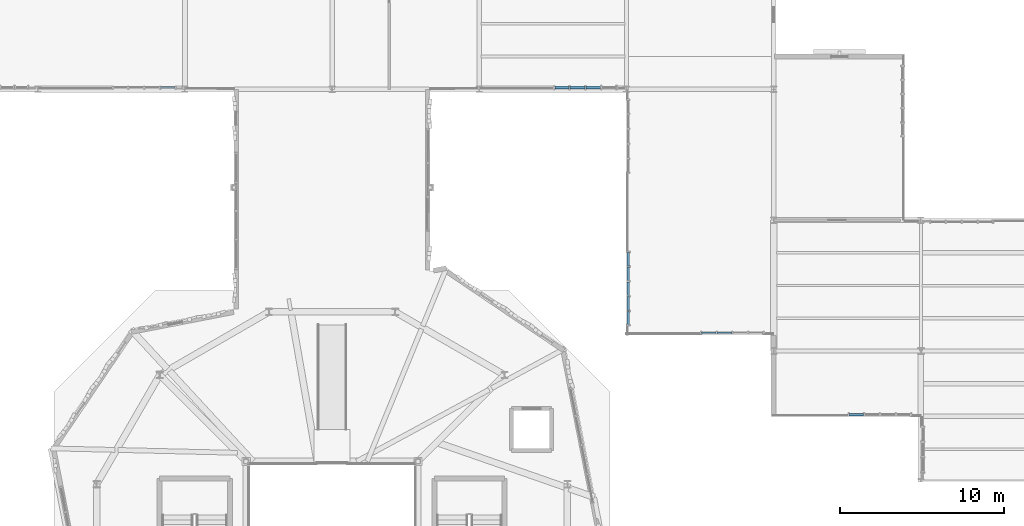
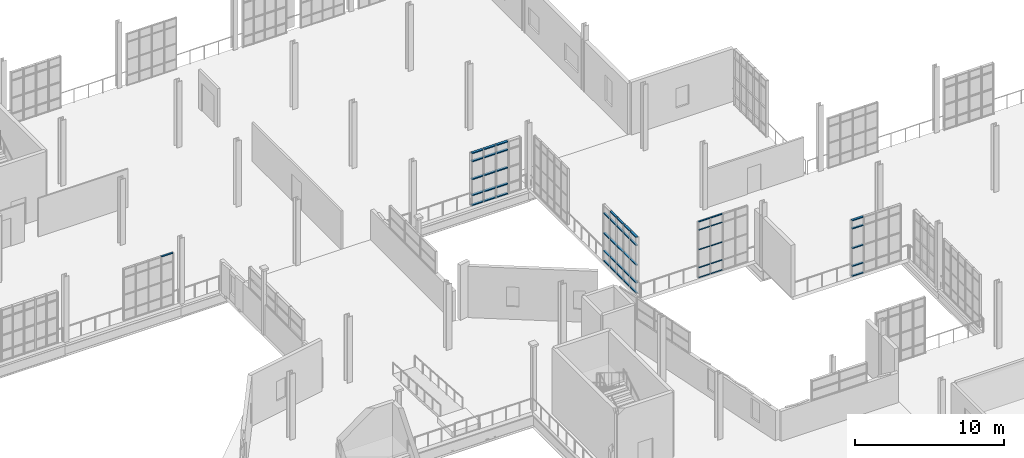
# One storey, part 91 of 142: 55 members, 5 elements without a shape of their own.
"""IFC4 building model written with IfcOpenShell, lengths in metres."""

from ifc_helpers import new_model, si_unit, direction, frame, origin, origin_2d, place, context, subcontext, project, spatial, hollow_rectangle, extrude, material, layer, layer_set, material_profile, profile_set, type_object, element, aggregate, save


model = new_model("IFC4")

# Units and contexts
model_context = context("Model", 3, precision=1e-05, world=origin(), true_north=direction((0.0, 1.0)))
body_context = subcontext(model_context, "Body", "Model", "MODEL_VIEW")
ifc_project = project(units=[si_unit("LENGTHUNIT", "METRE"), si_unit("AREAUNIT", "SQUARE_METRE"), si_unit("VOLUMEUNIT", "CUBIC_METRE"), si_unit("PLANEANGLEUNIT", "RADIAN"), si_unit("MASSUNIT", "GRAM", prefix="KILO"), si_unit("THERMODYNAMICTEMPERATUREUNIT", "KELVIN"), si_unit("POWERUNIT", "WATT")], contexts=[model_context])

# Site, building, storey
site_placement = place(None, origin())
site = spatial("IfcSite", under=ifc_project, at=site_placement, CompositionType="ELEMENT")
building_placement = place(site_placement, origin())
building = spatial("IfcBuilding", under=site, at=building_placement, Name="Zelmaris Science Centre", CompositionType="ELEMENT")
storey_placement = place(building_placement, frame((0.0, 0.0, 5.39990234375)))
storey = spatial("IfcBuildingStorey", under=building, at=storey_placement, Name="L01", CompositionType="ELEMENT", Elevation=5.39990234375)

# Curtain wall, members
ifc_material = material(Name="Anodised architectural aluminium 6063-T6", Category="aluminium")
ifc_layer_1 = layer(ifc_material, 0.219970703125, Name="Anodised architectural aluminium 6063-T6")
ifc_layer_set_1 = layer_set([ifc_layer_1], Name="Anodised architectural aluminium 6063-T6")
curtain_wall_type_1 = type_object("IfcCurtainWallType", Name="Curtain Wall CW-04", PredefinedType="USERDEFINED", material=ifc_layer_set_1)
curtain_wall_1_placement = place(storey_placement, origin())
curtain_wall_1 = element("IfcCurtainWall", 1, at=curtain_wall_1_placement, inside=storey, type_object=curtain_wall_type_1, Name="L01 Unitised curtain wall 184", ObjectType="GLAZED CURTAIN WALL", PredefinedType="USERDEFINED")
ifc_material_profile_1 = material_profile(ifc_material, hollow_rectangle(XDim=0.06005859375, YDim=0.110107421875, WallThickness=0.0029296875, at=origin_2d()), Name="ALU-TRN-60X110")
ifc_profile_set_1 = profile_set([ifc_material_profile_1], Name="Anodised architectural aluminium 6063-T6")
member_type_1 = type_object("IfcMemberType", Name="ALU-TRN-60X110", PredefinedType="USERDEFINED", material=ifc_profile_set_1)
member_1_placement = place(storey_placement, frame((105.4521484375, 49.1181640625, 0.010986328125), z_axis=(-0.999999964615, 0.00026602819, 0.0), x_axis=(0.0, 0.0, 1.0)))
member_1 = element("IfcMember", 2, at=member_1_placement, type_object=member_type_1, Name="CW-04 transom 3.1", ObjectType="TRANSOM", PredefinedType="USERDEFINED", context=body_context, shape_type="SweptSolid", body=[
    extrude(hollow_rectangle(XDim=0.06005859375, YDim=0.110107421875, WallThickness=0.0029296875, at=origin_2d()), origin(), (0.0, 0.0, 1.0), 0.917724609375),
])
member_2_placement = place(storey_placement, frame((105.4521484375, 49.1181640625, 0.835205078125), z_axis=(-0.999999964615, 0.00026602819, 0.0), x_axis=(0.0, 0.0, 1.0)))
member_2 = element("IfcMember", 3, at=member_2_placement, type_object=member_type_1, Name="CW-04 transom 3.2", ObjectType="TRANSOM", PredefinedType="USERDEFINED", context=body_context, shape_type="SweptSolid", body=[
    extrude(hollow_rectangle(XDim=0.06005859375, YDim=0.110107421875, WallThickness=0.0029296875, at=origin_2d()), origin(), (0.0, 0.0, 1.0), 0.917724609375),
])
member_3_placement = place(storey_placement, frame((105.4521484375, 49.1181640625, 2.302490234375), z_axis=(-0.999999964615, 0.00026602819, 0.0), x_axis=(0.0, 0.0, 1.0)))
member_3 = element("IfcMember", 4, at=member_3_placement, type_object=member_type_1, Name="CW-04 transom 3.3", ObjectType="TRANSOM", PredefinedType="USERDEFINED", context=body_context, shape_type="SweptSolid", body=[
    extrude(hollow_rectangle(XDim=0.06005859375, YDim=0.110107421875, WallThickness=0.0029296875, at=origin_2d()), origin(), (0.0, 0.0, 1.0), 0.917724609375),
])
member_4_placement = place(storey_placement, frame((105.4521484375, 49.1181640625, 3.920166015625), z_axis=(-0.999999964615, 0.00026602819, 0.0), x_axis=(0.0, 0.0, 1.0)))
member_4 = element("IfcMember", 5, at=member_4_placement, type_object=member_type_1, Name="CW-04 transom 3.4", ObjectType="TRANSOM", PredefinedType="USERDEFINED", context=body_context, shape_type="SweptSolid", body=[
    extrude(hollow_rectangle(XDim=0.06005859375, YDim=0.110107421875, WallThickness=0.0029296875, at=origin_2d()), origin(), (0.0, 0.0, 1.0), 0.917724609375),
])
member_5_placement = place(storey_placement, frame((105.4521484375, 49.1181640625, 4.593994140625), z_axis=(-0.999999964615, 0.00026602819, 0.0), x_axis=(0.0, 0.0, 1.0)))
member_5 = element("IfcMember", 6, at=member_5_placement, type_object=member_type_1, Name="CW-04 transom 3.5", ObjectType="TRANSOM", PredefinedType="USERDEFINED", context=body_context, shape_type="SweptSolid", body=[
    extrude(hollow_rectangle(XDim=0.06005859375, YDim=0.110107421875, WallThickness=0.0029296875, at=origin_2d()), origin(), (0.0, 0.0, 1.0), 0.917724609375),
])
member_6_placement = place(storey_placement, frame((104.482421875, 49.118408203125, 0.010986328125), z_axis=(-0.999999962511, 0.000273822553, 0.0), x_axis=(0.0, 0.0, 1.0)))
member_6 = element("IfcMember", 7, at=member_6_placement, type_object=member_type_1, Name="CW-04 transom 4.1", ObjectType="TRANSOM", PredefinedType="USERDEFINED", context=body_context, shape_type="SweptSolid", body=[
    extrude(hollow_rectangle(XDim=0.06005859375, YDim=0.110107421875, WallThickness=0.0029296875, at=origin_2d()), origin(), (0.0, 0.0, 1.0), 0.8916015625),
])
member_7_placement = place(storey_placement, frame((104.482421875, 49.118408203125, 0.835205078125), z_axis=(-0.999999962511, 0.000273822553, 0.0), x_axis=(0.0, 0.0, 1.0)))
member_7 = element("IfcMember", 8, at=member_7_placement, type_object=member_type_1, Name="CW-04 transom 4.2", ObjectType="TRANSOM", PredefinedType="USERDEFINED", context=body_context, shape_type="SweptSolid", body=[
    extrude(hollow_rectangle(XDim=0.06005859375, YDim=0.110107421875, WallThickness=0.0029296875, at=origin_2d()), origin(), (0.0, 0.0, 1.0), 0.8916015625),
])
member_8_placement = place(storey_placement, frame((104.482421875, 49.118408203125, 2.302490234375), z_axis=(-0.999999962511, 0.000273822553, 0.0), x_axis=(0.0, 0.0, 1.0)))
member_8 = element("IfcMember", 9, at=member_8_placement, type_object=member_type_1, Name="CW-04 transom 4.3", ObjectType="TRANSOM", PredefinedType="USERDEFINED", context=body_context, shape_type="SweptSolid", body=[
    extrude(hollow_rectangle(XDim=0.06005859375, YDim=0.110107421875, WallThickness=0.0029296875, at=origin_2d()), origin(), (0.0, 0.0, 1.0), 0.8916015625),
])
member_9_placement = place(storey_placement, frame((104.482421875, 49.118408203125, 3.920166015625), z_axis=(-0.999999962511, 0.000273822553, 0.0), x_axis=(0.0, 0.0, 1.0)))
member_9 = element("IfcMember", 10, at=member_9_placement, type_object=member_type_1, Name="CW-04 transom 4.4", ObjectType="TRANSOM", PredefinedType="USERDEFINED", context=body_context, shape_type="SweptSolid", body=[
    extrude(hollow_rectangle(XDim=0.06005859375, YDim=0.110107421875, WallThickness=0.0029296875, at=origin_2d()), origin(), (0.0, 0.0, 1.0), 0.8916015625),
])
member_10_placement = place(storey_placement, frame((104.482421875, 49.118408203125, 4.593994140625), z_axis=(-0.999999962511, 0.000273822553, 0.0), x_axis=(0.0, 0.0, 1.0)))
member_10 = element("IfcMember", 11, at=member_10_placement, type_object=member_type_1, Name="CW-04 transom 4.5", ObjectType="TRANSOM", PredefinedType="USERDEFINED", context=body_context, shape_type="SweptSolid", body=[
    extrude(hollow_rectangle(XDim=0.06005859375, YDim=0.110107421875, WallThickness=0.0029296875, at=origin_2d()), origin(), (0.0, 0.0, 1.0), 0.8916015625),
])
aggregate(curtain_wall_1, [member_1, member_2, member_3, member_4, member_5, member_6, member_7, member_8, member_9, member_10])

# Curtain wall, member
ifc_layer_2 = layer(ifc_material, 0.2099609375, Name="Anodised architectural aluminium 6063-T6")
ifc_layer_set_2 = layer_set([ifc_layer_2], Name="Anodised architectural aluminium 6063-T6")
curtain_wall_type_2 = type_object("IfcCurtainWallType", Name="Curtain Wall CW-03", PredefinedType="USERDEFINED", material=ifc_layer_set_2)
curtain_wall_2_placement = place(storey_placement, origin())
curtain_wall_2 = element("IfcCurtainWall", 12, at=curtain_wall_2_placement, inside=storey, type_object=curtain_wall_type_2, Name="L01 Unitised curtain wall 195", ObjectType="GLAZED CURTAIN WALL", PredefinedType="USERDEFINED")
ifc_material_profile_2 = material_profile(ifc_material, hollow_rectangle(XDim=0.06494140625, YDim=0.1298828125, WallThickness=0.00341796875, at=origin_2d()), Name="ALU-TRN-65X130")
ifc_profile_set_2 = profile_set([ifc_material_profile_2], Name="Anodised architectural aluminium 6063-T6")
member_type_2 = type_object("IfcMemberType", Name="ALU-TRN-65X130", PredefinedType="USERDEFINED", material=ifc_profile_set_2)
member_11_placement = place(storey_placement, frame((71.403076171875, 64.105712890625, 4.2255859375), z_axis=(-0.999999397203, 0.001097995495, 0.0), x_axis=(0.0, 0.0, 1.0)))
member_11 = element("IfcMember", 13, at=member_11_placement, type_object=member_type_2, Name="CW-03 transom 1.5", ObjectType="TRANSOM", PredefinedType="USERDEFINED", context=body_context, shape_type="SweptSolid", body=[
    extrude(hollow_rectangle(XDim=0.06494140625, YDim=0.1298828125, WallThickness=0.00341796875, at=origin_2d()), origin(), (0.0, 0.0, 1.0), 0.889404296875),
])
aggregate(curtain_wall_2, [member_11])

# Curtain wall, members
ifc_layer_3 = layer(ifc_material, 0.199951171875, Name="Anodised architectural aluminium 6063-T6")
ifc_layer_set_3 = layer_set([ifc_layer_3], Name="Anodised architectural aluminium 6063-T6")
curtain_wall_type_3 = type_object("IfcCurtainWallType", Name="Curtain Wall CW-02", PredefinedType="USERDEFINED", material=ifc_layer_set_3)
curtain_wall_3_placement = place(storey_placement, origin())
curtain_wall_3 = element("IfcCurtainWall", 14, at=curtain_wall_3_placement, inside=storey, type_object=curtain_wall_type_3, Name="L01 Unitised curtain wall 182", ObjectType="GLAZED CURTAIN WALL", PredefinedType="USERDEFINED")
ifc_material_profile_3 = material_profile(ifc_material, hollow_rectangle(XDim=0.074951171875, YDim=0.159912109375, WallThickness=0.00390625, at=origin_2d()), Name="ALU-TRN-75X160")
ifc_profile_set_3 = profile_set([ifc_material_profile_3], Name="Anodised architectural aluminium 6063-T6")
member_type_3 = type_object("IfcMemberType", Name="ALU-TRN-75X160", PredefinedType="USERDEFINED", material=ifc_profile_set_3)
member_12_placement = place(storey_placement, frame((113.488037109375, 44.111572265625, 0.0185546875), z_axis=(-0.999998588464, 0.001680199253, 0.0), x_axis=(0.0, 0.0, 1.0)))
member_12 = element("IfcMember", 15, at=member_12_placement, type_object=member_type_3, Name="CW-02 transom 4.1", ObjectType="TRANSOM", PredefinedType="USERDEFINED", context=body_context, shape_type="SweptSolid", body=[
    extrude(hollow_rectangle(XDim=0.074951171875, YDim=0.159912109375, WallThickness=0.00390625, at=origin_2d()), origin(), (0.0, 0.0, 1.0), 0.871826171875),
])
member_13_placement = place(storey_placement, frame((113.488037109375, 44.111572265625, 0.835205078125), z_axis=(-0.999998588464, 0.001680199253, 0.0), x_axis=(0.0, 0.0, 1.0)))
member_13 = element("IfcMember", 16, at=member_13_placement, type_object=member_type_3, Name="CW-02 transom 4.2", ObjectType="TRANSOM", PredefinedType="USERDEFINED", context=body_context, shape_type="SweptSolid", body=[
    extrude(hollow_rectangle(XDim=0.074951171875, YDim=0.159912109375, WallThickness=0.00390625, at=origin_2d()), origin(), (0.0, 0.0, 1.0), 0.871826171875),
])
member_14_placement = place(storey_placement, frame((113.488037109375, 44.111572265625, 2.302490234375), z_axis=(-0.999998588464, 0.001680199253, 0.0), x_axis=(0.0, 0.0, 1.0)))
member_14 = element("IfcMember", 17, at=member_14_placement, type_object=member_type_3, Name="CW-02 transom 4.3", ObjectType="TRANSOM", PredefinedType="USERDEFINED", context=body_context, shape_type="SweptSolid", body=[
    extrude(hollow_rectangle(XDim=0.074951171875, YDim=0.159912109375, WallThickness=0.00390625, at=origin_2d()), origin(), (0.0, 0.0, 1.0), 0.871826171875),
])
member_15_placement = place(storey_placement, frame((113.488037109375, 44.111572265625, 3.920166015625), z_axis=(-0.999998588464, 0.001680199253, 0.0), x_axis=(0.0, 0.0, 1.0)))
member_15 = element("IfcMember", 18, at=member_15_placement, type_object=member_type_3, Name="CW-02 transom 4.4", ObjectType="TRANSOM", PredefinedType="USERDEFINED", context=body_context, shape_type="SweptSolid", body=[
    extrude(hollow_rectangle(XDim=0.074951171875, YDim=0.159912109375, WallThickness=0.00390625, at=origin_2d()), origin(), (0.0, 0.0, 1.0), 0.871826171875),
])
member_16_placement = place(storey_placement, frame((113.488037109375, 44.111572265625, 4.586669921875), z_axis=(-0.999998588464, 0.001680199253, 0.0), x_axis=(0.0, 0.0, 1.0)))
member_16 = element("IfcMember", 19, at=member_16_placement, type_object=member_type_3, Name="CW-02 transom 4.5", ObjectType="TRANSOM", PredefinedType="USERDEFINED", context=body_context, shape_type="SweptSolid", body=[
    extrude(hollow_rectangle(XDim=0.074951171875, YDim=0.159912109375, WallThickness=0.00390625, at=origin_2d()), origin(), (0.0, 0.0, 1.0), 0.871826171875),
])
aggregate(curtain_wall_3, [member_12, member_13, member_14, member_15, member_16])

curtain_wall_4_placement = place(storey_placement, origin())
curtain_wall_4 = element("IfcCurtainWall", 20, at=curtain_wall_4_placement, inside=storey, type_object=curtain_wall_type_3, Name="L01 Unitised curtain wall 186", ObjectType="GLAZED CURTAIN WALL", PredefinedType="USERDEFINED")
member_17_placement = place(storey_placement, frame((99.1201171875, 49.607177734375, 0.0185546875), z_axis=(0.0, 1.0, 0.0), x_axis=(0.0, 0.0, 1.0)))
member_17 = element("IfcMember", 21, at=member_17_placement, type_object=member_type_3, Name="CW-02 transom 1.1", ObjectType="TRANSOM", PredefinedType="USERDEFINED", context=body_context, shape_type="SweptSolid", body=[
    extrude(hollow_rectangle(XDim=0.074951171875, YDim=0.159912109375, WallThickness=0.00390625, at=origin_2d()), origin(), (0.0, 0.0, 1.0), 0.807373046875),
])
member_18_placement = place(storey_placement, frame((99.1201171875, 49.607177734375, 0.835205078125), z_axis=(0.0, 1.0, 0.0), x_axis=(0.0, 0.0, 1.0)))
member_18 = element("IfcMember", 22, at=member_18_placement, type_object=member_type_3, Name="CW-02 transom 1.2", ObjectType="TRANSOM", PredefinedType="USERDEFINED", context=body_context, shape_type="SweptSolid", body=[
    extrude(hollow_rectangle(XDim=0.074951171875, YDim=0.159912109375, WallThickness=0.00390625, at=origin_2d()), origin(), (0.0, 0.0, 1.0), 0.807373046875),
])
member_19_placement = place(storey_placement, frame((99.1201171875, 49.607177734375, 2.302490234375), z_axis=(0.0, 1.0, 0.0), x_axis=(0.0, 0.0, 1.0)))
member_19 = element("IfcMember", 23, at=member_19_placement, type_object=member_type_3, Name="CW-02 transom 1.3", ObjectType="TRANSOM", PredefinedType="USERDEFINED", context=body_context, shape_type="SweptSolid", body=[
    extrude(hollow_rectangle(XDim=0.074951171875, YDim=0.159912109375, WallThickness=0.00390625, at=origin_2d()), origin(), (0.0, 0.0, 1.0), 0.807373046875),
])
member_20_placement = place(storey_placement, frame((99.1201171875, 49.607177734375, 3.920166015625), z_axis=(0.0, 1.0, 0.0), x_axis=(0.0, 0.0, 1.0)))
member_20 = element("IfcMember", 24, at=member_20_placement, type_object=member_type_3, Name="CW-02 transom 1.4", ObjectType="TRANSOM", PredefinedType="USERDEFINED", context=body_context, shape_type="SweptSolid", body=[
    extrude(hollow_rectangle(XDim=0.074951171875, YDim=0.159912109375, WallThickness=0.00390625, at=origin_2d()), origin(), (0.0, 0.0, 1.0), 0.807373046875),
])
member_21_placement = place(storey_placement, frame((99.1201171875, 49.607177734375, 4.586669921875), z_axis=(0.0, 1.0, 0.0), x_axis=(0.0, 0.0, 1.0)))
member_21 = element("IfcMember", 25, at=member_21_placement, type_object=member_type_3, Name="CW-02 transom 1.5", ObjectType="TRANSOM", PredefinedType="USERDEFINED", context=body_context, shape_type="SweptSolid", body=[
    extrude(hollow_rectangle(XDim=0.074951171875, YDim=0.159912109375, WallThickness=0.00390625, at=origin_2d()), origin(), (0.0, 0.0, 1.0), 0.807373046875),
])
member_22_placement = place(storey_placement, frame((99.1201171875, 50.481689453125, 0.0185546875), z_axis=(0.0, 1.0, 0.0), x_axis=(0.0, 0.0, 1.0)))
member_22 = element("IfcMember", 26, at=member_22_placement, type_object=member_type_3, Name="CW-02 transom 2.1", ObjectType="TRANSOM", PredefinedType="USERDEFINED", context=body_context, shape_type="SweptSolid", body=[
    extrude(hollow_rectangle(XDim=0.074951171875, YDim=0.159912109375, WallThickness=0.00390625, at=origin_2d()), origin(), (0.0, 0.0, 1.0), 0.8408203125),
])
member_23_placement = place(storey_placement, frame((99.1201171875, 50.481689453125, 0.835205078125), z_axis=(0.0, 1.0, 0.0), x_axis=(0.0, 0.0, 1.0)))
member_23 = element("IfcMember", 27, at=member_23_placement, type_object=member_type_3, Name="CW-02 transom 2.2", ObjectType="TRANSOM", PredefinedType="USERDEFINED", context=body_context, shape_type="SweptSolid", body=[
    extrude(hollow_rectangle(XDim=0.074951171875, YDim=0.159912109375, WallThickness=0.00390625, at=origin_2d()), origin(), (0.0, 0.0, 1.0), 0.8408203125),
])
member_24_placement = place(storey_placement, frame((99.1201171875, 50.481689453125, 2.302490234375), z_axis=(0.0, 1.0, 0.0), x_axis=(0.0, 0.0, 1.0)))
member_24 = element("IfcMember", 28, at=member_24_placement, type_object=member_type_3, Name="CW-02 transom 2.3", ObjectType="TRANSOM", PredefinedType="USERDEFINED", context=body_context, shape_type="SweptSolid", body=[
    extrude(hollow_rectangle(XDim=0.074951171875, YDim=0.159912109375, WallThickness=0.00390625, at=origin_2d()), origin(), (0.0, 0.0, 1.0), 0.8408203125),
])
member_25_placement = place(storey_placement, frame((99.1201171875, 50.481689453125, 3.920166015625), z_axis=(0.0, 1.0, 0.0), x_axis=(0.0, 0.0, 1.0)))
member_25 = element("IfcMember", 29, at=member_25_placement, type_object=member_type_3, Name="CW-02 transom 2.4", ObjectType="TRANSOM", PredefinedType="USERDEFINED", context=body_context, shape_type="SweptSolid", body=[
    extrude(hollow_rectangle(XDim=0.074951171875, YDim=0.159912109375, WallThickness=0.00390625, at=origin_2d()), origin(), (0.0, 0.0, 1.0), 0.8408203125),
])
member_26_placement = place(storey_placement, frame((99.1201171875, 50.481689453125, 4.586669921875), z_axis=(0.0, 1.0, 0.0), x_axis=(0.0, 0.0, 1.0)))
member_26 = element("IfcMember", 30, at=member_26_placement, type_object=member_type_3, Name="CW-02 transom 2.5", ObjectType="TRANSOM", PredefinedType="USERDEFINED", context=body_context, shape_type="SweptSolid", body=[
    extrude(hollow_rectangle(XDim=0.074951171875, YDim=0.159912109375, WallThickness=0.00390625, at=origin_2d()), origin(), (0.0, 0.0, 1.0), 0.8408203125),
])
member_27_placement = place(storey_placement, frame((99.1201171875, 51.3896484375, 0.0185546875), z_axis=(0.0, 1.0, 0.0), x_axis=(0.0, 0.0, 1.0)))
member_27 = element("IfcMember", 31, at=member_27_placement, type_object=member_type_3, Name="CW-02 transom 3.1", ObjectType="TRANSOM", PredefinedType="USERDEFINED", context=body_context, shape_type="SweptSolid", body=[
    extrude(hollow_rectangle(XDim=0.074951171875, YDim=0.159912109375, WallThickness=0.00390625, at=origin_2d()), origin(), (0.0, 0.0, 1.0), 0.8408203125),
])
member_28_placement = place(storey_placement, frame((99.1201171875, 51.3896484375, 0.835205078125), z_axis=(0.0, 1.0, 0.0), x_axis=(0.0, 0.0, 1.0)))
member_28 = element("IfcMember", 32, at=member_28_placement, type_object=member_type_3, Name="CW-02 transom 3.2", ObjectType="TRANSOM", PredefinedType="USERDEFINED", context=body_context, shape_type="SweptSolid", body=[
    extrude(hollow_rectangle(XDim=0.074951171875, YDim=0.159912109375, WallThickness=0.00390625, at=origin_2d()), origin(), (0.0, 0.0, 1.0), 0.8408203125),
])
member_29_placement = place(storey_placement, frame((99.1201171875, 51.3896484375, 2.302490234375), z_axis=(0.0, 1.0, 0.0), x_axis=(0.0, 0.0, 1.0)))
member_29 = element("IfcMember", 33, at=member_29_placement, type_object=member_type_3, Name="CW-02 transom 3.3", ObjectType="TRANSOM", PredefinedType="USERDEFINED", context=body_context, shape_type="SweptSolid", body=[
    extrude(hollow_rectangle(XDim=0.074951171875, YDim=0.159912109375, WallThickness=0.00390625, at=origin_2d()), origin(), (0.0, 0.0, 1.0), 0.8408203125),
])
member_30_placement = place(storey_placement, frame((99.1201171875, 51.3896484375, 3.920166015625), z_axis=(0.0, 1.0, 0.0), x_axis=(0.0, 0.0, 1.0)))
member_30 = element("IfcMember", 34, at=member_30_placement, type_object=member_type_3, Name="CW-02 transom 3.4", ObjectType="TRANSOM", PredefinedType="USERDEFINED", context=body_context, shape_type="SweptSolid", body=[
    extrude(hollow_rectangle(XDim=0.074951171875, YDim=0.159912109375, WallThickness=0.00390625, at=origin_2d()), origin(), (0.0, 0.0, 1.0), 0.8408203125),
])
member_31_placement = place(storey_placement, frame((99.1201171875, 51.3896484375, 4.586669921875), z_axis=(0.0, 1.0, 0.0), x_axis=(0.0, 0.0, 1.0)))
member_31 = element("IfcMember", 35, at=member_31_placement, type_object=member_type_3, Name="CW-02 transom 3.5", ObjectType="TRANSOM", PredefinedType="USERDEFINED", context=body_context, shape_type="SweptSolid", body=[
    extrude(hollow_rectangle(XDim=0.074951171875, YDim=0.159912109375, WallThickness=0.00390625, at=origin_2d()), origin(), (0.0, 0.0, 1.0), 0.8408203125),
])
member_32_placement = place(storey_placement, frame((99.1201171875, 52.297607421875, 0.0185546875), z_axis=(0.0, 1.0, 0.0), x_axis=(0.0, 0.0, 1.0)))
member_32 = element("IfcMember", 36, at=member_32_placement, type_object=member_type_3, Name="CW-02 transom 4.1", ObjectType="TRANSOM", PredefinedType="USERDEFINED", context=body_context, shape_type="SweptSolid", body=[
    extrude(hollow_rectangle(XDim=0.074951171875, YDim=0.159912109375, WallThickness=0.00390625, at=origin_2d()), origin(), (0.0, 0.0, 1.0), 0.8408203125),
])
member_33_placement = place(storey_placement, frame((99.1201171875, 52.297607421875, 0.835205078125), z_axis=(0.0, 1.0, 0.0), x_axis=(0.0, 0.0, 1.0)))
member_33 = element("IfcMember", 37, at=member_33_placement, type_object=member_type_3, Name="CW-02 transom 4.2", ObjectType="TRANSOM", PredefinedType="USERDEFINED", context=body_context, shape_type="SweptSolid", body=[
    extrude(hollow_rectangle(XDim=0.074951171875, YDim=0.159912109375, WallThickness=0.00390625, at=origin_2d()), origin(), (0.0, 0.0, 1.0), 0.8408203125),
])
member_34_placement = place(storey_placement, frame((99.1201171875, 52.297607421875, 2.302490234375), z_axis=(0.0, 1.0, 0.0), x_axis=(0.0, 0.0, 1.0)))
member_34 = element("IfcMember", 38, at=member_34_placement, type_object=member_type_3, Name="CW-02 transom 4.3", ObjectType="TRANSOM", PredefinedType="USERDEFINED", context=body_context, shape_type="SweptSolid", body=[
    extrude(hollow_rectangle(XDim=0.074951171875, YDim=0.159912109375, WallThickness=0.00390625, at=origin_2d()), origin(), (0.0, 0.0, 1.0), 0.8408203125),
])
member_35_placement = place(storey_placement, frame((99.1201171875, 52.297607421875, 3.920166015625), z_axis=(0.0, 1.0, 0.0), x_axis=(0.0, 0.0, 1.0)))
member_35 = element("IfcMember", 39, at=member_35_placement, type_object=member_type_3, Name="CW-02 transom 4.4", ObjectType="TRANSOM", PredefinedType="USERDEFINED", context=body_context, shape_type="SweptSolid", body=[
    extrude(hollow_rectangle(XDim=0.074951171875, YDim=0.159912109375, WallThickness=0.00390625, at=origin_2d()), origin(), (0.0, 0.0, 1.0), 0.8408203125),
])
member_36_placement = place(storey_placement, frame((99.1201171875, 52.297607421875, 4.586669921875), z_axis=(0.0, 1.0, 0.0), x_axis=(0.0, 0.0, 1.0)))
member_36 = element("IfcMember", 40, at=member_36_placement, type_object=member_type_3, Name="CW-02 transom 4.5", ObjectType="TRANSOM", PredefinedType="USERDEFINED", context=body_context, shape_type="SweptSolid", body=[
    extrude(hollow_rectangle(XDim=0.074951171875, YDim=0.159912109375, WallThickness=0.00390625, at=origin_2d()), origin(), (0.0, 0.0, 1.0), 0.8408203125),
])
member_37_placement = place(storey_placement, frame((99.1201171875, 53.20556640625, 0.0185546875), z_axis=(0.0, 1.0, 0.0), x_axis=(0.0, 0.0, 1.0)))
member_37 = element("IfcMember", 41, at=member_37_placement, type_object=member_type_3, Name="CW-02 transom 5.1", ObjectType="TRANSOM", PredefinedType="USERDEFINED", context=body_context, shape_type="SweptSolid", body=[
    extrude(hollow_rectangle(XDim=0.074951171875, YDim=0.159912109375, WallThickness=0.00390625, at=origin_2d()), origin(), (0.0, 0.0, 1.0), 0.807373046875),
])
member_38_placement = place(storey_placement, frame((99.1201171875, 53.20556640625, 0.835205078125), z_axis=(0.0, 1.0, 0.0), x_axis=(0.0, 0.0, 1.0)))
member_38 = element("IfcMember", 42, at=member_38_placement, type_object=member_type_3, Name="CW-02 transom 5.2", ObjectType="TRANSOM", PredefinedType="USERDEFINED", context=body_context, shape_type="SweptSolid", body=[
    extrude(hollow_rectangle(XDim=0.074951171875, YDim=0.159912109375, WallThickness=0.00390625, at=origin_2d()), origin(), (0.0, 0.0, 1.0), 0.807373046875),
])
member_39_placement = place(storey_placement, frame((99.1201171875, 53.20556640625, 2.302490234375), z_axis=(0.0, 1.0, 0.0), x_axis=(0.0, 0.0, 1.0)))
member_39 = element("IfcMember", 43, at=member_39_placement, type_object=member_type_3, Name="CW-02 transom 5.3", ObjectType="TRANSOM", PredefinedType="USERDEFINED", context=body_context, shape_type="SweptSolid", body=[
    extrude(hollow_rectangle(XDim=0.074951171875, YDim=0.159912109375, WallThickness=0.00390625, at=origin_2d()), origin(), (0.0, 0.0, 1.0), 0.807373046875),
])
member_40_placement = place(storey_placement, frame((99.1201171875, 53.20556640625, 3.920166015625), z_axis=(0.0, 1.0, 0.0), x_axis=(0.0, 0.0, 1.0)))
member_40 = element("IfcMember", 44, at=member_40_placement, type_object=member_type_3, Name="CW-02 transom 5.4", ObjectType="TRANSOM", PredefinedType="USERDEFINED", context=body_context, shape_type="SweptSolid", body=[
    extrude(hollow_rectangle(XDim=0.074951171875, YDim=0.159912109375, WallThickness=0.00390625, at=origin_2d()), origin(), (0.0, 0.0, 1.0), 0.807373046875),
])
aggregate(curtain_wall_4, [member_17, member_18, member_19, member_20, member_21, member_22, member_23, member_24, member_25, member_26, member_27, member_28, member_29, member_30, member_31, member_32, member_33, member_34, member_35, member_36, member_37, member_38, member_39, member_40])

ifc_layer_4 = layer(ifc_material, 0.18994140625, Name="Anodised architectural aluminium 6063-T6")
ifc_layer_set_4 = layer_set([ifc_layer_4], Name="Anodised architectural aluminium 6063-T6")
curtain_wall_type_4 = type_object("IfcCurtainWallType", Name="Curtain Wall CW-01", PredefinedType="USERDEFINED", material=ifc_layer_set_4)
curtain_wall_5_placement = place(storey_placement, origin())
curtain_wall_5 = element("IfcCurtainWall", 45, at=curtain_wall_5_placement, inside=storey, type_object=curtain_wall_type_4, Name="L01 Unitised curtain wall 189", ObjectType="GLAZED CURTAIN WALL", PredefinedType="USERDEFINED")
ifc_material_profile_4 = material_profile(ifc_material, hollow_rectangle(XDim=0.080078125, YDim=0.18994140625, WallThickness=0.00439453125, at=origin_2d()), Name="ALU-TRN-80X190")
ifc_profile_set_4 = profile_set([ifc_material_profile_4], Name="Anodised architectural aluminium 6063-T6")
member_type_4 = type_object("IfcMemberType", Name="ALU-TRN-80X190", PredefinedType="USERDEFINED", material=ifc_profile_set_4)
member_41_placement = place(storey_placement, frame((97.425537109375, 64.10888671875, 0.02099609375), z_axis=(-0.999999852716, -0.000542740761, 0.0), x_axis=(0.0, 0.0, 1.0)))
member_41 = element("IfcMember", 46, at=member_41_placement, type_object=member_type_4, Name="CW-01 transom 2.1", ObjectType="TRANSOM", PredefinedType="USERDEFINED", context=body_context, shape_type="SweptSolid", body=[
    extrude(hollow_rectangle(XDim=0.080078125, YDim=0.18994140625, WallThickness=0.00439453125, at=origin_2d()), origin(), (0.0, 0.0, 1.0), 0.899658203125),
])
member_42_placement = place(storey_placement, frame((97.425537109375, 64.10888671875, 0.835205078125), z_axis=(-0.999999852716, -0.000542740761, 0.0), x_axis=(0.0, 0.0, 1.0)))
member_42 = element("IfcMember", 47, at=member_42_placement, type_object=member_type_4, Name="CW-01 transom 2.2", ObjectType="TRANSOM", PredefinedType="USERDEFINED", context=body_context, shape_type="SweptSolid", body=[
    extrude(hollow_rectangle(XDim=0.080078125, YDim=0.18994140625, WallThickness=0.00439453125, at=origin_2d()), origin(), (0.0, 0.0, 1.0), 0.899658203125),
])
member_43_placement = place(storey_placement, frame((97.425537109375, 64.10888671875, 2.155029296875), z_axis=(-0.999999852716, -0.000542740761, 0.0), x_axis=(0.0, 0.0, 1.0)))
member_43 = element("IfcMember", 48, at=member_43_placement, type_object=member_type_4, Name="CW-01 transom 2.3", ObjectType="TRANSOM", PredefinedType="USERDEFINED", context=body_context, shape_type="SweptSolid", body=[
    extrude(hollow_rectangle(XDim=0.080078125, YDim=0.18994140625, WallThickness=0.00439453125, at=origin_2d()), origin(), (0.0, 0.0, 1.0), 0.899658203125),
])
member_44_placement = place(storey_placement, frame((97.425537109375, 64.10888671875, 3.625), z_axis=(-0.999999852716, -0.000542740761, 0.0), x_axis=(0.0, 0.0, 1.0)))
member_44 = element("IfcMember", 49, at=member_44_placement, type_object=member_type_4, Name="CW-01 transom 2.4", ObjectType="TRANSOM", PredefinedType="USERDEFINED", context=body_context, shape_type="SweptSolid", body=[
    extrude(hollow_rectangle(XDim=0.080078125, YDim=0.18994140625, WallThickness=0.00439453125, at=origin_2d()), origin(), (0.0, 0.0, 1.0), 0.899658203125),
])
member_45_placement = place(storey_placement, frame((97.425537109375, 64.10888671875, 4.2890625), z_axis=(-0.999999852716, -0.000542740761, 0.0), x_axis=(0.0, 0.0, 1.0)))
member_45 = element("IfcMember", 50, at=member_45_placement, type_object=member_type_4, Name="CW-01 transom 2.5", ObjectType="TRANSOM", PredefinedType="USERDEFINED", context=body_context, shape_type="SweptSolid", body=[
    extrude(hollow_rectangle(XDim=0.080078125, YDim=0.18994140625, WallThickness=0.00439453125, at=origin_2d()), origin(), (0.0, 0.0, 1.0), 0.899658203125),
])
member_46_placement = place(storey_placement, frame((96.453857421875, 64.1083984375, 0.02099609375), z_axis=(-0.999999668612, -0.000814110992, 0.0), x_axis=(0.0, 0.0, 1.0)))
member_46 = element("IfcMember", 51, at=member_46_placement, type_object=member_type_4, Name="CW-01 transom 3.1", ObjectType="TRANSOM", PredefinedType="USERDEFINED", context=body_context, shape_type="SweptSolid", body=[
    extrude(hollow_rectangle(XDim=0.080078125, YDim=0.18994140625, WallThickness=0.00439453125, at=origin_2d()), origin(), (0.0, 0.0, 1.0), 0.899658203125),
])
member_47_placement = place(storey_placement, frame((96.453857421875, 64.1083984375, 0.835205078125), z_axis=(-0.999999668612, -0.000814110992, 0.0), x_axis=(0.0, 0.0, 1.0)))
member_47 = element("IfcMember", 52, at=member_47_placement, type_object=member_type_4, Name="CW-01 transom 3.2", ObjectType="TRANSOM", PredefinedType="USERDEFINED", context=body_context, shape_type="SweptSolid", body=[
    extrude(hollow_rectangle(XDim=0.080078125, YDim=0.18994140625, WallThickness=0.00439453125, at=origin_2d()), origin(), (0.0, 0.0, 1.0), 0.899658203125),
])
member_48_placement = place(storey_placement, frame((96.453857421875, 64.1083984375, 2.155029296875), z_axis=(-0.999999668612, -0.000814110992, 0.0), x_axis=(0.0, 0.0, 1.0)))
member_48 = element("IfcMember", 53, at=member_48_placement, type_object=member_type_4, Name="CW-01 transom 3.3", ObjectType="TRANSOM", PredefinedType="USERDEFINED", context=body_context, shape_type="SweptSolid", body=[
    extrude(hollow_rectangle(XDim=0.080078125, YDim=0.18994140625, WallThickness=0.00439453125, at=origin_2d()), origin(), (0.0, 0.0, 1.0), 0.899658203125),
])
member_49_placement = place(storey_placement, frame((96.453857421875, 64.1083984375, 3.625), z_axis=(-0.999999668612, -0.000814110992, 0.0), x_axis=(0.0, 0.0, 1.0)))
member_49 = element("IfcMember", 54, at=member_49_placement, type_object=member_type_4, Name="CW-01 transom 3.4", ObjectType="TRANSOM", PredefinedType="USERDEFINED", context=body_context, shape_type="SweptSolid", body=[
    extrude(hollow_rectangle(XDim=0.080078125, YDim=0.18994140625, WallThickness=0.00439453125, at=origin_2d()), origin(), (0.0, 0.0, 1.0), 0.899658203125),
])
member_50_placement = place(storey_placement, frame((96.453857421875, 64.1083984375, 4.2890625), z_axis=(-0.999999668612, -0.000814110992, 0.0), x_axis=(0.0, 0.0, 1.0)))
member_50 = element("IfcMember", 55, at=member_50_placement, type_object=member_type_4, Name="CW-01 transom 3.5", ObjectType="TRANSOM", PredefinedType="USERDEFINED", context=body_context, shape_type="SweptSolid", body=[
    extrude(hollow_rectangle(XDim=0.080078125, YDim=0.18994140625, WallThickness=0.00439453125, at=origin_2d()), origin(), (0.0, 0.0, 1.0), 0.899658203125),
])
member_51_placement = place(storey_placement, frame((95.482177734375, 64.107666015625, 0.02099609375), z_axis=(-0.999999840133, -0.000565450857, 0.0), x_axis=(0.0, 0.0, 1.0)))
member_51 = element("IfcMember", 56, at=member_51_placement, type_object=member_type_4, Name="CW-01 transom 4.1", ObjectType="TRANSOM", PredefinedType="USERDEFINED", context=body_context, shape_type="SweptSolid", body=[
    extrude(hollow_rectangle(XDim=0.080078125, YDim=0.18994140625, WallThickness=0.00439453125, at=origin_2d()), origin(), (0.0, 0.0, 1.0), 0.863525390625),
])
member_52_placement = place(storey_placement, frame((95.482177734375, 64.107666015625, 0.835205078125), z_axis=(-0.999999840133, -0.000565450857, 0.0), x_axis=(0.0, 0.0, 1.0)))
member_52 = element("IfcMember", 57, at=member_52_placement, type_object=member_type_4, Name="CW-01 transom 4.2", ObjectType="TRANSOM", PredefinedType="USERDEFINED", context=body_context, shape_type="SweptSolid", body=[
    extrude(hollow_rectangle(XDim=0.080078125, YDim=0.18994140625, WallThickness=0.00439453125, at=origin_2d()), origin(), (0.0, 0.0, 1.0), 0.863525390625),
])
member_53_placement = place(storey_placement, frame((95.482177734375, 64.107666015625, 2.155029296875), z_axis=(-0.999999840133, -0.000565450857, 0.0), x_axis=(0.0, 0.0, 1.0)))
member_53 = element("IfcMember", 58, at=member_53_placement, type_object=member_type_4, Name="CW-01 transom 4.3", ObjectType="TRANSOM", PredefinedType="USERDEFINED", context=body_context, shape_type="SweptSolid", body=[
    extrude(hollow_rectangle(XDim=0.080078125, YDim=0.18994140625, WallThickness=0.00439453125, at=origin_2d()), origin(), (0.0, 0.0, 1.0), 0.863525390625),
])
member_54_placement = place(storey_placement, frame((95.482177734375, 64.107666015625, 3.625), z_axis=(-0.999999840133, -0.000565450857, 0.0), x_axis=(0.0, 0.0, 1.0)))
member_54 = element("IfcMember", 59, at=member_54_placement, type_object=member_type_4, Name="CW-01 transom 4.4", ObjectType="TRANSOM", PredefinedType="USERDEFINED", context=body_context, shape_type="SweptSolid", body=[
    extrude(hollow_rectangle(XDim=0.080078125, YDim=0.18994140625, WallThickness=0.00439453125, at=origin_2d()), origin(), (0.0, 0.0, 1.0), 0.863525390625),
])
member_55_placement = place(storey_placement, frame((95.482177734375, 64.107666015625, 4.2890625), z_axis=(-0.999999840133, -0.000565450857, 0.0), x_axis=(0.0, 0.0, 1.0)))
member_55 = element("IfcMember", 60, at=member_55_placement, type_object=member_type_4, Name="CW-01 transom 4.5", ObjectType="TRANSOM", PredefinedType="USERDEFINED", context=body_context, shape_type="SweptSolid", body=[
    extrude(hollow_rectangle(XDim=0.080078125, YDim=0.18994140625, WallThickness=0.00439453125, at=origin_2d()), origin(), (0.0, 0.0, 1.0), 0.863525390625),
])
aggregate(curtain_wall_5, [member_41, member_42, member_43, member_44, member_45, member_46, member_47, member_48, member_49, member_50, member_51, member_52, member_53, member_54, member_55])

save(model, "model.ifc")
